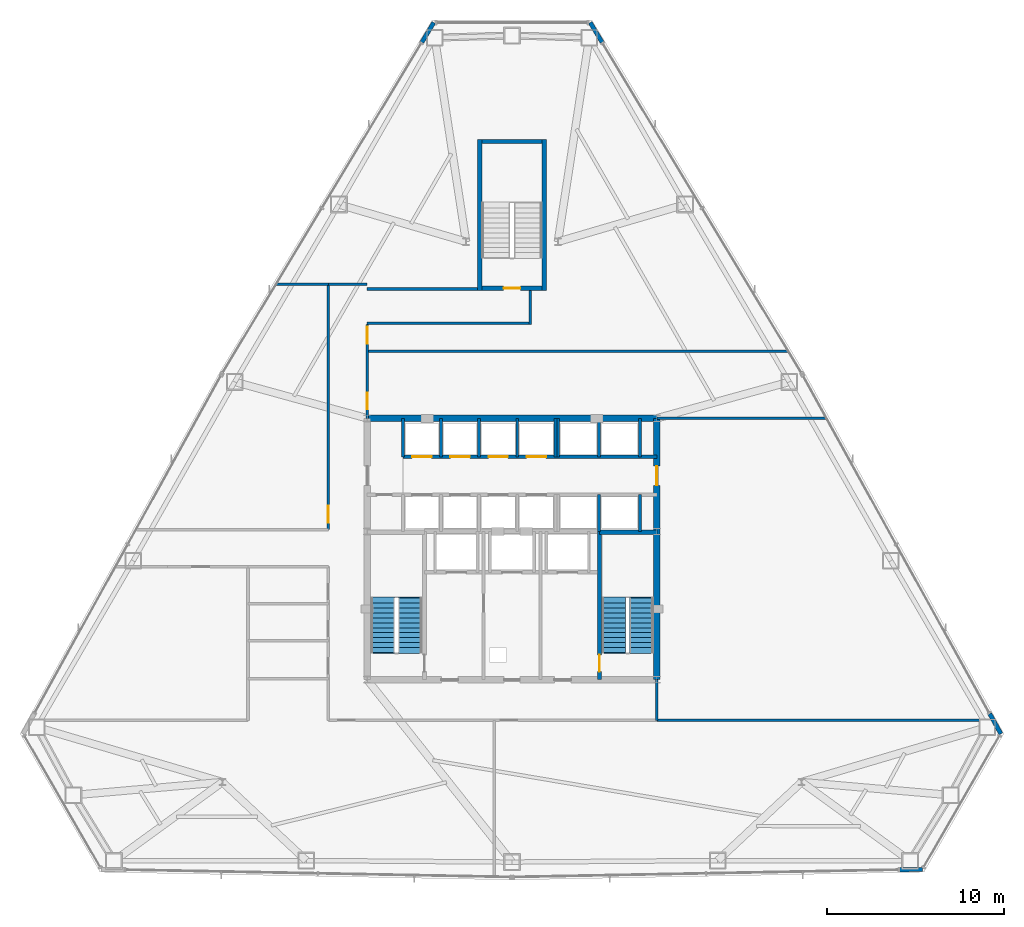
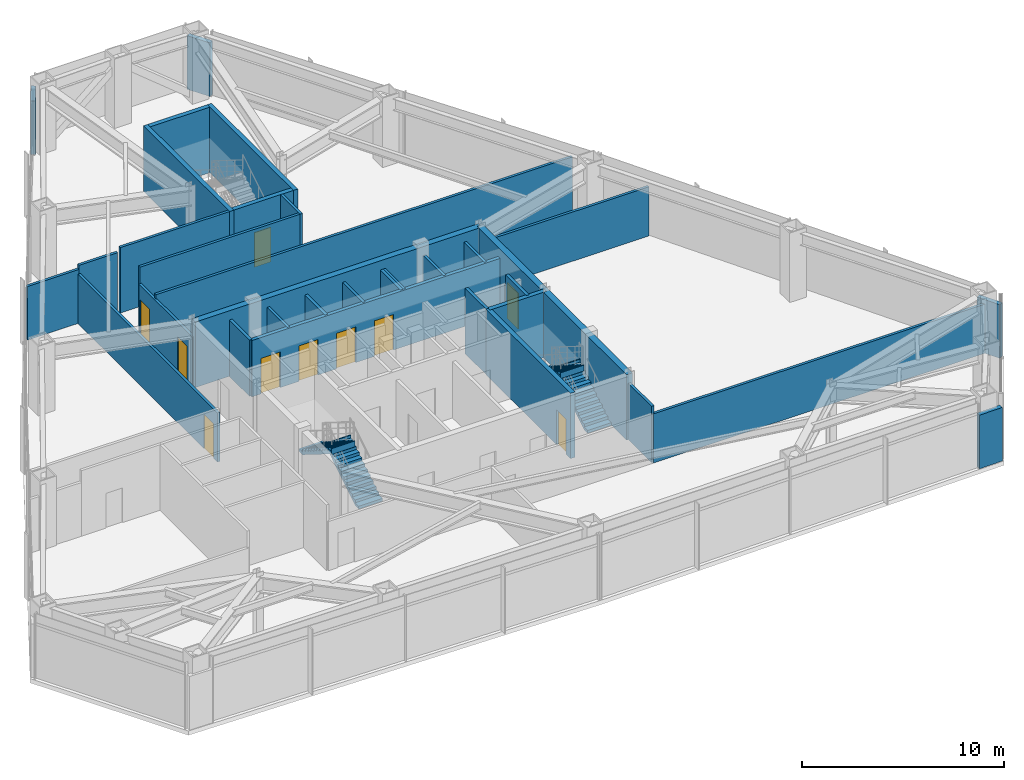
# One storey, part 11 of 13: 34 walls, 10 doors, 4 stair flights, 10 openings, 2 elements without a shape of their own.
"""IFC4 building model written with IfcOpenShell, lengths in metres."""

from ifc_helpers import new_model, si_unit, direction, frame, frame_2d, origin, place, context, subcontext, project, spatial, polyline, rectangle, outline, extrude, material, layer, layer_set, type_object, element, fill, aggregate, save


model = new_model("IFC4")

# Units and contexts
model_context = context("Model", 3, precision=1e-05, world=origin(), true_north=direction((0.0, 1.0)))
body_context = subcontext(model_context, "Body", "Model", "MODEL_VIEW")
ifc_project = project(units=[si_unit("LENGTHUNIT", "METRE"), si_unit("AREAUNIT", "SQUARE_METRE"), si_unit("VOLUMEUNIT", "CUBIC_METRE"), si_unit("PLANEANGLEUNIT", "RADIAN"), si_unit("MASSUNIT", "GRAM", prefix="KILO")], contexts=[model_context])

# Site, building, storey
site_placement = place(None, origin())
site = spatial("IfcSite", under=ifc_project, at=site_placement, CompositionType="ELEMENT")
building_placement = place(site_placement, origin())
building = spatial("IfcBuilding", under=site, at=building_placement, Name="Varakhsha Concourse Tower", CompositionType="ELEMENT")
storey_placement = place(building_placement, frame((0.0, 0.0, 111.800048828125)))
storey = spatial("IfcBuildingStorey", under=building, at=storey_placement, Name="L32", CompositionType="ELEMENT", Elevation=111.800048828125)

# Wall
ifc_material_1 = material(Name="Concrete fc 65 MPa", Category="concrete")
ifc_layer_1 = layer(ifc_material_1, 0.35009765625, Name="WL-CORE-350")
ifc_layer_set_1 = layer_set([ifc_layer_1], Name="Concrete fc 65 MPa")
wall_type_1 = type_object("IfcWallType", Name="WL-CORE-350", PredefinedType="SHEAR", material=ifc_layer_set_1)
wall_1_placement = place(storey_placement, frame((31.800048828125, 31.199951171875, 0.0), z_axis=(0.0, 0.0, 1.0), x_axis=(1.0, 0.0, 0.0)))
element("IfcWall", 1, at=wall_1_placement, inside=storey, type_object=wall_type_1, Name="L32 Wall CWALL-N-L32", PredefinedType="SHEAR", context=body_context, shape_type="SweptSolid", body=[
    extrude(rectangle(XDim=16.39990234375, YDim=0.35009765625, at=frame_2d((8.199951171875, 0.0))), origin(), (0.0, 0.0, 1.0), 3.9599609375),
])

# Wall, opening, door
wall_2_placement = place(storey_placement, frame((48.199951171875, 16.39990234375, 0.0), z_axis=(0.0, 0.0, 1.0), x_axis=(0.0, 1.0, 0.0)))
wall_2 = element("IfcWall", 2, at=wall_2_placement, inside=storey, type_object=wall_type_1, Name="L32 Wall CWALL-E-L32", PredefinedType="SHEAR", context=body_context, shape_type="SweptSolid", body=[
    extrude(rectangle(XDim=14.800048828125, YDim=0.35009765625, at=frame_2d((7.39990234375, 0.0))), origin(), (0.0, 0.0, 1.0), 3.9599609375),
])
opening_1_placement = place(wall_2_placement, frame((11.0, 0.0, 0.0)))
opening_1 = element("IfcOpeningElement", 3, at=opening_1_placement, cuts=wall_2, Name="Opening DL-01", PredefinedType="OPENING", context=body_context, shape_type="SweptSolid", body=[
    extrude(rectangle(XDim=1.10009765625, YDim=2.14990234375, at=frame_2d((0.550048828125, 1.074951171875))), frame((0.0, 0.18505859375, 0.0), z_axis=(0.0, -1.0, 0.0), x_axis=(1.0, 0.0, 0.0)), (0.0, 0.0, 1.0), 0.3701171875),
])
ifc_material_2 = material(Name="Anodised Bronze Architectural Aluminium AA 6063-T6", Category="aluminium")
door_type_1 = type_object("IfcDoorType", Name="DR-LOB-1100", OperationType="NOTDEFINED", PredefinedType="DOOR", material=ifc_material_2)
door_1_placement = place(opening_1_placement, origin())
door_1 = element("IfcDoor", 4, at=door_1_placement, inside=storey, type_object=door_type_1, Name="L32 Lift Lobby East Concourse Door", OperationType="SINGLE_SWING_RIGHT", OverallHeight=2.14990234375, OverallWidth=1.10009765625, PredefinedType="DOOR", context=body_context, shape_type="SweptSolid", body=[
    extrude(rectangle(XDim=1.10009765625, YDim=2.14990234375, at=frame_2d((0.550048828125, 1.074951171875))), frame((0.0, 0.02490234375, 0.0), z_axis=(0.0, -1.0, 0.0), x_axis=(1.0, 0.0, 0.0)), (0.0, 0.0, 1.0), 0.050048828125),
])
fill(opening_1, door_1)

# Walls
ifc_material_3 = material(Name="Concrete fc 45 MPa", Category="concrete")
ifc_layer_2 = layer(ifc_material_3, 0.239990234375, Name="WL-EXT-CRN-240")
ifc_layer_set_2 = layer_set([ifc_layer_2], Name="Concrete fc 45 MPa")
wall_type_2 = type_object("IfcWallType", Name="WL-EXT-CRN-240", PredefinedType="SHEAR", material=ifc_layer_set_2)
wall_3_placement = place(storey_placement, frame((35.569580078125, 53.609619140625, 0.0), z_axis=(0.0, 0.0, 1.0), x_axis=(-0.516114973282, -0.856519313474, 0.0)))
element("IfcWall", 5, at=wall_3_placement, inside=storey, type_object=wall_type_2, Name="L32 Wind-Corner Shoulder Wall F2", PredefinedType="SHEAR", context=body_context, shape_type="SweptSolid", body=[
    extrude(rectangle(XDim=1.307373046875, YDim=0.239990234375, at=frame_2d((0.65380859375, 0.0))), origin(), (0.0, 0.0, 1.0), 3.242919921875),
])
for number, where, z_axis, x_axis, name in (
    (6, (61.947021484375, 5.6337890625, 0.0), (0.0, 0.0, 1.0), (0.999822181087, 0.018857523864, 0.0), "L32 Wind-Corner Shoulder Wall F6"),
    (7, (67.6845703125, 13.33203125, 0.0), (0.0, 0.0, 1.0), (-0.483580718164, 0.875299770947, 0.0), "L32 Wind-Corner Shoulder Wall F8"),
):
    element("IfcWall", number, at=place(storey_placement, frame(where, z_axis=z_axis, x_axis=x_axis)), inside=storey, type_object=wall_type_2, Name=name, PredefinedType="SHEAR", context=body_context, shape_type="SweptSolid", body=[
        extrude(rectangle(XDim=1.3076171875, YDim=0.239990234375, at=frame_2d((0.65380859375, 0.0))), origin(), (0.0, 0.0, 1.0), 3.242919921875),
    ])
wall_4_placement = place(storey_placement, frame((45.105224609375, 52.48974609375, 0.0), z_axis=(0.0, 0.0, 1.0), x_axis=(-0.516114973282, 0.856519313474, 0.0)))
element("IfcWall", 8, at=wall_4_placement, inside=storey, type_object=wall_type_2, Name="L32 Wind-Corner Shoulder Wall F9", PredefinedType="SHEAR", context=body_context, shape_type="SweptSolid", body=[
    extrude(rectangle(XDim=1.307373046875, YDim=0.239990234375, at=frame_2d((0.65380859375, 0.0))), origin(), (0.0, 0.0, 1.0), 3.242919921875),
])
ifc_material_4 = material(Name="Fire-Rated Type X Gypsum Partition Assembly", Category="gypsum")
ifc_layer_3 = layer(ifc_material_4, 0.14990234375, Name="WL-PART-150")
ifc_layer_set_3 = layer_set([ifc_layer_3], Name="Fire-Rated Type X Gypsum Partition Assembly")
wall_type_3 = type_object("IfcWallType", Name="WL-PART-150", PredefinedType="PARTITIONING", material=ifc_layer_set_3)
wall_5_placement = place(storey_placement, frame((48.199951171875, 14.10009765625, 0.0), z_axis=(0.0, 0.0, 1.0), x_axis=(0.0, 1.0, 0.0)))
element("IfcWall", 9, at=wall_5_placement, inside=storey, type_object=wall_type_3, Name="L32 Wall CRW-SE-L32", PredefinedType="PARTITIONING", context=body_context, shape_type="SweptSolid", body=[
    extrude(rectangle(XDim=2.2998046875, YDim=0.14990234375, at=frame_2d((1.14990234375, 0.0))), origin(), (0.0, 0.0, 1.0), 3.410888671875),
])

# Wall, opening, door
wall_6_placement = place(storey_placement, frame((29.60009765625, 24.89990234375, 0.0), z_axis=(0.0, 0.0, 1.0), x_axis=(0.0, 1.0, 0.0)))
wall_6 = element("IfcWall", 10, at=wall_6_placement, inside=storey, type_object=wall_type_3, Name="L32 Wall CRW-WN-L32", PredefinedType="PARTITIONING", context=body_context, shape_type="SweptSolid", body=[
    extrude(rectangle(XDim=13.900146484375, YDim=0.14990234375, at=frame_2d((6.9501953125, 0.0))), origin(), (0.0, 0.0, 1.0), 2.974853515625),
])
opening_2_placement = place(wall_6_placement, frame((0.39990234375, 0.0, 0.0)))
opening_2 = element("IfcOpeningElement", 11, at=opening_2_placement, cuts=wall_6, Name="Opening DF-05", PredefinedType="OPENING", context=body_context, shape_type="SweptSolid", body=[
    extrude(rectangle(XDim=0.949951171875, YDim=2.10009765625, at=frame_2d((0.47509765625, 1.050048828125))), frame((0.0, 0.0849609375, 0.0), z_axis=(0.0, -1.0, 0.0), x_axis=(1.0, 0.0, 0.0)), (0.0, 0.0, 1.0), 0.169921875),
])
ifc_material_5 = material(Name="Hollow Galvanised Steel Fire Door Assembly", Category="steel")
door_type_2 = type_object("IfcDoorType", Name="DR-FD60-950", OperationType="NOTDEFINED", PredefinedType="DOOR", material=ifc_material_5)
door_2_placement = place(opening_2_placement, origin())
door_2 = element("IfcDoor", 12, at=door_2_placement, inside=storey, type_object=door_type_2, Name="L32 Open Concourse Studio L32-NW Door", OperationType="SINGLE_SWING_LEFT", OverallHeight=2.10009765625, OverallWidth=0.949951171875, PredefinedType="DOOR", context=body_context, shape_type="SweptSolid", body=[
    extrude(rectangle(XDim=0.949951171875, YDim=2.10009765625, at=frame_2d((0.47509765625, 1.050048828125))), frame((0.0, 0.02490234375, 0.0), z_axis=(0.0, -1.0, 0.0), x_axis=(1.0, 0.0, 0.0)), (0.0, 0.0, 1.0), 0.050048828125),
])
fill(opening_2, door_2)

# Wall, openings, doors
wall_7_placement = place(storey_placement, frame((31.800048828125, 31.199951171875, 0.0), z_axis=(0.0, 0.0, 1.0), x_axis=(0.0, 1.0, 0.0)))
wall_7 = element("IfcWall", 13, at=wall_7_placement, inside=storey, type_object=wall_type_3, Name="L32 Wall CRW-NE-L32", PredefinedType="PARTITIONING", context=body_context, shape_type="SweptSolid", body=[
    extrude(rectangle(XDim=5.300048828125, YDim=0.14990234375, at=frame_2d((2.64990234375, 0.0))), origin(), (0.0, 0.0, 1.0), 2.974853515625),
])
opening_3_placement = place(wall_7_placement, frame((0.5, 0.0, 0.0)))
opening_3 = element("IfcOpeningElement", 14, at=opening_3_placement, cuts=wall_7, Name="Opening DF-05", PredefinedType="OPENING", context=body_context, shape_type="SweptSolid", body=[
    extrude(rectangle(XDim=0.949951171875, YDim=2.10009765625, at=frame_2d((0.47509765625, 1.050048828125))), frame((0.0, 0.0849609375, 0.0), z_axis=(0.0, -1.0, 0.0), x_axis=(1.0, 0.0, 0.0)), (0.0, 0.0, 1.0), 0.169921875),
])
opening_4_placement = place(wall_7_placement, frame((4.22998046875, 0.0, 0.0)))
opening_4 = element("IfcOpeningElement", 15, at=opening_4_placement, cuts=wall_7, Name="Opening DF-05", PredefinedType="OPENING", context=body_context, shape_type="SweptSolid", body=[
    extrude(rectangle(XDim=0.949951171875, YDim=2.10009765625, at=frame_2d((0.47509765625, 1.050048828125))), frame((0.0, 0.0849609375, 0.0), z_axis=(0.0, -1.0, 0.0), x_axis=(1.0, 0.0, 0.0)), (0.0, 0.0, 1.0), 0.169921875),
])
door_3_placement = place(opening_3_placement, origin())
door_3 = element("IfcDoor", 16, at=door_3_placement, inside=storey, type_object=door_type_2, Name="L32 Mountain View Concourse Briefing Room L32-NE1 Door", OperationType="SINGLE_SWING_RIGHT", OverallHeight=2.10009765625, OverallWidth=0.949951171875, PredefinedType="DOOR", context=body_context, shape_type="SweptSolid", body=[
    extrude(rectangle(XDim=0.949951171875, YDim=2.10009765625, at=frame_2d((0.47509765625, 1.050048828125))), frame((0.0, 0.02490234375, 0.0), z_axis=(0.0, -1.0, 0.0), x_axis=(1.0, 0.0, 0.0)), (0.0, 0.0, 1.0), 0.050048828125),
])
fill(opening_3, door_3)
door_4_placement = place(opening_4_placement, origin())
door_4 = element("IfcDoor", 17, at=door_4_placement, inside=storey, type_object=door_type_2, Name="L32 Apex Sky Lobby Transfer Lounge L32-NE2 Door", OperationType="SINGLE_SWING_RIGHT", OverallHeight=2.10009765625, OverallWidth=0.949951171875, PredefinedType="DOOR", context=body_context, shape_type="SweptSolid", body=[
    extrude(rectangle(XDim=0.949951171875, YDim=2.10009765625, at=frame_2d((0.47509765625, 1.050048828125))), frame((0.0, 0.02490234375, 0.0), z_axis=(0.0, -1.0, 0.0), x_axis=(1.0, 0.0, 0.0)), (0.0, 0.0, 1.0), 0.050048828125),
])
fill(opening_4, door_4)

# Walls
wall_8_placement = place(storey_placement, frame((29.60009765625, 38.800048828125, 0.0), z_axis=(0.0, 0.0, 1.0), x_axis=(1.0, 0.0, 0.0)))
element("IfcWall", 18, at=wall_8_placement, inside=storey, type_object=wall_type_3, Name="L32 Wall CRW-NCAP-L32", PredefinedType="PARTITIONING", context=body_context, shape_type="SweptSolid", body=[
    extrude(rectangle(XDim=2.199951171875, YDim=0.14990234375, at=frame_2d((1.10009765625, 0.0))), origin(), (0.0, 0.0, 1.0), 3.492919921875),
])
wall_9_placement = place(storey_placement, frame((26.647705078125, 38.800048828125, 0.0), z_axis=(0.0, 0.0, 1.0), x_axis=(1.0, 0.0, 0.0)))
element("IfcWall", 19, at=wall_9_placement, inside=storey, type_object=wall_type_3, Name="L32 Wall ODIV-NWT-L32", PredefinedType="PARTITIONING", context=body_context, shape_type="SweptSolid", body=[
    extrude(rectangle(XDim=2.952392578125, YDim=0.14990234375, at=frame_2d((1.47607421875, 0.0))), origin(), (0.0, 0.0, 1.0), 3.248046875),
])
wall_10_placement = place(storey_placement, frame((48.199951171875, 31.199951171875, 0.0), z_axis=(0.0, 0.0, 1.0), x_axis=(1.0, 0.0, 0.0)))
element("IfcWall", 20, at=wall_10_placement, inside=storey, type_object=wall_type_3, Name="L32 Wall ODIV-NEB-L32", PredefinedType="PARTITIONING", context=body_context, shape_type="SweptSolid", body=[
    extrude(rectangle(XDim=9.608642578125, YDim=0.14990234375, at=frame_2d((4.80419921875, 0.0))), origin(), (0.0, 0.0, 1.0), 2.974853515625),
])
wall_11_placement = place(storey_placement, frame((31.800048828125, 35.0, 0.0), z_axis=(0.0, 0.0, 1.0), x_axis=(1.0, 0.0, 0.0)))
element("IfcWall", 21, at=wall_11_placement, inside=storey, type_object=wall_type_3, Name="L32 Wall ODIV-NE1-L32", PredefinedType="PARTITIONING", context=body_context, shape_type="SweptSolid", body=[
    extrude(rectangle(XDim=23.84326171875, YDim=0.14990234375, at=frame_2d((11.921630859375, 0.0))), origin(), (0.0, 0.0, 1.0), 3.248046875),
])
wall_12_placement = place(storey_placement, frame((48.199951171875, 14.10009765625, 0.0), z_axis=(0.0, 0.0, 1.0), x_axis=(1.0, 0.0, 0.0)))
element("IfcWall", 22, at=wall_12_placement, inside=storey, type_object=wall_type_3, Name="L32 Wall ODIV-EB0-L32", PredefinedType="PARTITIONING", context=body_context, shape_type="SweptSolid", body=[
    extrude(rectangle(XDim=19.054443359375, YDim=0.14990234375, at=frame_2d((9.52734375, 0.0))), origin(), (0.0, 0.0, 1.0), 2.974853515625),
])
wall_13_placement = place(storey_placement, frame((31.800048828125, 36.574951171875, 0.0), z_axis=(0.0, 0.0, 1.0), x_axis=(1.0, 0.0, 0.0)))
element("IfcWall", 23, at=wall_13_placement, inside=storey, type_object=wall_type_3, Name="L32 Wall STLK-S-L32", PredefinedType="PARTITIONING", context=body_context, shape_type="SweptSolid", body=[
    extrude(rectangle(XDim=9.14990234375, YDim=0.14990234375, at=frame_2d((4.574951171875, 0.0))), origin(), (0.0, 0.0, 1.0), 3.9599609375),
])
wall_14_placement = place(storey_placement, frame((31.800048828125, 38.52490234375, 0.0), z_axis=(0.0, 0.0, 1.0), x_axis=(1.0, 0.0, 0.0)))
element("IfcWall", 24, at=wall_14_placement, inside=storey, type_object=wall_type_3, Name="L32 Wall STLK-N-L32", PredefinedType="PARTITIONING", context=body_context, shape_type="SweptSolid", body=[
    extrude(rectangle(XDim=6.25, YDim=0.14990234375, at=frame_2d((3.125, 0.0))), origin(), (0.0, 0.0, 1.0), 3.9599609375),
])
wall_15_placement = place(storey_placement, frame((41.02490234375, 36.5, 0.0), z_axis=(0.0, 0.0, 1.0), x_axis=(0.0, 1.0, 0.0)))
element("IfcWall", 25, at=wall_15_placement, inside=storey, type_object=wall_type_3, Name="L32 Wall STLK-E-L32", PredefinedType="PARTITIONING", context=body_context, shape_type="SweptSolid", body=[
    extrude(rectangle(XDim=1.949951171875, YDim=0.14990234375, at=frame_2d((0.97509765625, 0.0))), origin(), (0.0, 0.0, 1.0), 3.9599609375),
])

# Wall, openings, doors
ifc_layer_4 = layer(ifc_material_4, 0.199951171875, Name="WL-SHAFT-220")
ifc_layer_set_4 = layer_set([ifc_layer_4], Name="Fire-Rated Type X Gypsum Partition Assembly")
wall_type_4 = type_object("IfcWallType", Name="WL-SHAFT-220", PredefinedType="SOLIDWALL", material=ifc_layer_set_4)
wall_16_placement = place(storey_placement, frame((33.820068359375, 29.02001953125, 0.0), z_axis=(0.0, 0.0, 1.0), x_axis=(1.0, 0.0, 0.0)))
wall_16 = element("IfcWall", 26, at=wall_16_placement, inside=storey, type_object=wall_type_4, Name="L32 Wall PLW-N-L32", PredefinedType="SOLIDWALL", context=body_context, shape_type="SweptSolid", body=[
    extrude(rectangle(XDim=14.3798828125, YDim=0.199951171875, at=frame_2d((7.18994140625, 0.0))), origin(), (0.0, 0.0, 1.0), 3.410888671875),
])
opening_5_placement = place(wall_16_placement, frame((0.530029296875, 0.0, 0.0)))
opening_5 = element("IfcOpeningElement", 27, at=opening_5_placement, cuts=wall_16, Name="Opening LD-LF-P01", PredefinedType="OPENING", context=body_context, shape_type="SweptSolid", body=[
    extrude(rectangle(XDim=1.10009765625, YDim=2.14990234375, at=frame_2d((0.550048828125, 1.074951171875))), frame((0.0, 0.10986328125, 0.0), z_axis=(0.0, -1.0, 0.0), x_axis=(1.0, 0.0, 0.0)), (0.0, 0.0, 1.0), 0.219970703125),
])
opening_6_placement = place(wall_16_placement, frame((2.68994140625, 0.0, 0.0)))
opening_6 = element("IfcOpeningElement", 28, at=opening_6_placement, cuts=wall_16, Name="Opening LD-LF-P02", PredefinedType="OPENING", context=body_context, shape_type="SweptSolid", body=[
    extrude(rectangle(XDim=1.10009765625, YDim=2.14990234375, at=frame_2d((0.550048828125, 1.074951171875))), frame((0.0, 0.10986328125, 0.0), z_axis=(0.0, -1.0, 0.0), x_axis=(1.0, 0.0, 0.0)), (0.0, 0.0, 1.0), 0.219970703125),
])
opening_7_placement = place(wall_16_placement, frame((4.85009765625, 0.0, 0.0)))
opening_7 = element("IfcOpeningElement", 29, at=opening_7_placement, cuts=wall_16, Name="Opening LD-LF-P03", PredefinedType="OPENING", context=body_context, shape_type="SweptSolid", body=[
    extrude(rectangle(XDim=1.10009765625, YDim=2.14990234375, at=frame_2d((0.550048828125, 1.074951171875))), frame((0.0, 0.10986328125, 0.0), z_axis=(0.0, -1.0, 0.0), x_axis=(1.0, 0.0, 0.0)), (0.0, 0.0, 1.0), 0.219970703125),
])
opening_8_placement = place(wall_16_placement, frame((7.010009765625, 0.0, 0.0)))
opening_8 = element("IfcOpeningElement", 30, at=opening_8_placement, cuts=wall_16, Name="Opening LD-LF-P04", PredefinedType="OPENING", context=body_context, shape_type="SweptSolid", body=[
    extrude(rectangle(XDim=1.10009765625, YDim=2.14990234375, at=frame_2d((0.550048828125, 1.074951171875))), frame((0.0, 0.10986328125, 0.0), z_axis=(0.0, -1.0, 0.0), x_axis=(1.0, 0.0, 0.0)), (0.0, 0.0, 1.0), 0.219970703125),
])
ifc_material_6 = material(Name="Brushed Austenitic Stainless Steel AISI 316", Category="steel")
door_type_3 = type_object("IfcDoorType", Name="DR-LD-1100", OperationType="DOUBLE_DOOR_SLIDING", PredefinedType="DOOR", material=ifc_material_6)
door_5_placement = place(opening_5_placement, origin())
door_5 = element("IfcDoor", 31, at=door_5_placement, inside=storey, type_object=door_type_3, Name="Lift Landing Door LF-P01 L32", OperationType="DOUBLE_DOOR_SLIDING", OverallHeight=2.14990234375, OverallWidth=1.10009765625, PredefinedType="DOOR", context=body_context, shape_type="SweptSolid", body=[
    extrude(rectangle(XDim=1.10009765625, YDim=2.14990234375, at=frame_2d((0.550048828125, 1.074951171875))), frame((0.0, 0.02490234375, 0.0), z_axis=(0.0, -1.0, 0.0), x_axis=(1.0, 0.0, 0.0)), (0.0, 0.0, 1.0), 0.050048828125),
])
fill(opening_5, door_5)
door_6_placement = place(opening_6_placement, origin())
door_6 = element("IfcDoor", 32, at=door_6_placement, inside=storey, type_object=door_type_3, Name="Lift Landing Door LF-P02 L32", OperationType="DOUBLE_DOOR_SLIDING", OverallHeight=2.14990234375, OverallWidth=1.10009765625, PredefinedType="DOOR", context=body_context, shape_type="SweptSolid", body=[
    extrude(rectangle(XDim=1.10009765625, YDim=2.14990234375, at=frame_2d((0.550048828125, 1.074951171875))), frame((0.0, 0.02490234375, 0.0), z_axis=(0.0, -1.0, 0.0), x_axis=(1.0, 0.0, 0.0)), (0.0, 0.0, 1.0), 0.050048828125),
])
fill(opening_6, door_6)
door_7_placement = place(opening_7_placement, origin())
door_7 = element("IfcDoor", 33, at=door_7_placement, inside=storey, type_object=door_type_3, Name="Lift Landing Door LF-P03 L32", OperationType="DOUBLE_DOOR_SLIDING", OverallHeight=2.14990234375, OverallWidth=1.10009765625, PredefinedType="DOOR", context=body_context, shape_type="SweptSolid", body=[
    extrude(rectangle(XDim=1.10009765625, YDim=2.14990234375, at=frame_2d((0.550048828125, 1.074951171875))), frame((0.0, 0.02490234375, 0.0), z_axis=(0.0, -1.0, 0.0), x_axis=(1.0, 0.0, 0.0)), (0.0, 0.0, 1.0), 0.050048828125),
])
fill(opening_7, door_7)
door_8_placement = place(opening_8_placement, origin())
door_8 = element("IfcDoor", 34, at=door_8_placement, inside=storey, type_object=door_type_3, Name="Lift Landing Door LF-P04 L32", OperationType="DOUBLE_DOOR_SLIDING", OverallHeight=2.14990234375, OverallWidth=1.10009765625, PredefinedType="DOOR", context=body_context, shape_type="SweptSolid", body=[
    extrude(rectangle(XDim=1.10009765625, YDim=2.14990234375, at=frame_2d((0.550048828125, 1.074951171875))), frame((0.0, 0.02490234375, 0.0), z_axis=(0.0, -1.0, 0.0), x_axis=(1.0, 0.0, 0.0)), (0.0, 0.0, 1.0), 0.050048828125),
])
fill(opening_8, door_8)

# Walls
for number, where, z_axis, x_axis, name in (
    (35, (33.820068359375, 29.02001953125, 0.0), (0.0, 0.0, 1.0), (0.0, 1.0, 0.0), "L32 Wall WBOH-E1-L32"),
    (36, (35.97998046875, 29.02001953125, 0.0), (0.0, 0.0, 1.0), (0.0, 1.0, 0.0), "L32 Wall SHW-LF-P01-E-L32"),
    (37, (38.139892578125, 29.02001953125, 0.0), (0.0, 0.0, 1.0), (0.0, 1.0, 0.0), "L32 Wall SHW-LF-P02-E-L32"),
    (38, (40.300048828125, 29.02001953125, 0.0), (0.0, 0.0, 1.0), (0.0, 1.0, 0.0), "L32 Wall SHW-LF-P03-E-L32"),
    (39, (42.4599609375, 29.02001953125, 0.0), (0.0, 0.0, 1.0), (0.0, 1.0, 0.0), "L32 Wall SHW-LF-P04-E-L32"),
    (40, (42.60009765625, 29.02001953125, 0.0), (0.0, 0.0, 1.0), (0.0, 1.0, 0.0), "L32 Wall SHW-LF-P09-W-L32"),
    (41, (44.919921875, 29.02001953125, 0.0), (0.0, 0.0, 1.0), (0.0, 1.0, 0.0), "L32 Wall SHW-LF-P09-E-L32"),
    (42, (47.239990234375, 29.02001953125, 0.0), (0.0, 0.0, 1.0), (0.0, 1.0, 0.0), "L32 Wall SHW-LF-P10-E-L32"),
):
    element("IfcWall", number, at=place(storey_placement, frame(where, z_axis=z_axis, x_axis=x_axis)), inside=storey, type_object=wall_type_4, Name=name, PredefinedType="SOLIDWALL", context=body_context, shape_type="SweptSolid", body=[
        extrude(rectangle(XDim=2.179931640625, YDim=0.159912109375, at=frame_2d((1.08984375, 0.0))), origin(), (0.0, 0.0, 1.0), 3.410888671875),
    ])
for number, where, z_axis, x_axis, name in (
    (43, (44.919921875, 24.800048828125, 0.0), (0.0, 0.0, 1.0), (0.0, 1.0, 0.0), "L32 Wall SHW-LF-P11-E-L32"),
    (44, (47.239990234375, 24.800048828125, 0.0), (0.0, 0.0, 1.0), (0.0, 1.0, 0.0), "L32 Wall SHW-LF-P12-E-L32"),
):
    element("IfcWall", number, at=place(storey_placement, frame(where, z_axis=z_axis, x_axis=x_axis)), inside=storey, type_object=wall_type_4, Name=name, PredefinedType="SOLIDWALL", context=body_context, shape_type="SweptSolid", body=[
        extrude(rectangle(XDim=2.079833984375, YDim=0.159912109375, at=frame_2d((1.0400390625, 0.0))), origin(), (0.0, 0.0, 1.0), 3.9599609375),
    ])

# Wall, opening, door
ifc_layer_5 = layer(ifc_material_3, 0.25, Name="WL-STAIR-250")
ifc_layer_set_5 = layer_set([ifc_layer_5], Name="Concrete fc 45 MPa")
wall_type_5 = type_object("IfcWallType", Name="WL-STAIR-250", PredefinedType="SHEAR", material=ifc_layer_set_5)
wall_17_placement = place(storey_placement, frame((44.955078125, 16.39990234375, 0.0), z_axis=(0.0, 0.0, 1.0), x_axis=(0.0, 1.0, 0.0)))
wall_17 = element("IfcWall", 45, at=wall_17_placement, inside=storey, type_object=wall_type_5, Name="L32 Wall SWALL-ST2-W-L32", PredefinedType="SHEAR", context=body_context, shape_type="SweptSolid", body=[
    extrude(rectangle(XDim=8.400146484375, YDim=0.25, at=frame_2d((4.2001953125, 0.0))), origin(), (0.0, 0.0, 1.0), 3.9599609375),
])
opening_9_placement = place(wall_17_placement, frame((0.449951171875, 0.0, 0.0)))
opening_9 = element("IfcOpeningElement", 46, at=opening_9_placement, cuts=wall_17, Name="Opening DF-03", PredefinedType="OPENING", context=body_context, shape_type="SweptSolid", body=[
    extrude(rectangle(XDim=0.949951171875, YDim=2.10009765625, at=frame_2d((0.47509765625, 1.050048828125))), frame((0.0, 0.135009765625, 0.0), z_axis=(0.0, -1.0, 0.0), x_axis=(1.0, 0.0, 0.0)), (0.0, 0.0, 1.0), 0.27001953125),
])
door_type_4 = type_object("IfcDoorType", Name="DR-FD90-950", OperationType="NOTDEFINED", PredefinedType="DOOR", material=ifc_material_5)
door_9_placement = place(opening_9_placement, origin())
door_9 = element("IfcDoor", 47, at=door_9_placement, inside=storey, type_object=door_type_4, Name="L32 Stair ST2 Fire Door", OperationType="SINGLE_SWING_RIGHT", OverallHeight=2.10009765625, OverallWidth=0.949951171875, PredefinedType="DOOR", context=body_context, shape_type="SweptSolid", body=[
    extrude(rectangle(XDim=0.949951171875, YDim=2.10009765625, at=frame_2d((0.47509765625, 1.050048828125))), frame((0.0, 0.02490234375, 0.0), z_axis=(0.0, -1.0, 0.0), x_axis=(1.0, 0.0, 0.0)), (0.0, 0.0, 1.0), 0.050048828125),
])
fill(opening_9, door_9)

# Walls
wall_18_placement = place(storey_placement, frame((44.955078125, 24.7548828125, 0.0), z_axis=(0.0, 0.0, 1.0), x_axis=(1.0, 0.0, 0.0)))
element("IfcWall", 48, at=wall_18_placement, inside=storey, type_object=wall_type_5, Name="L32 Wall SWALL-ST2-N-L32", PredefinedType="SHEAR", context=body_context, shape_type="SweptSolid", body=[
    extrude(rectangle(XDim=3.244873046875, YDim=0.25, at=frame_2d((1.62255859375, 0.0))), origin(), (0.0, 0.0, 1.0), 3.9599609375),
])
for number, where, z_axis, x_axis, name in (
    (49, (38.175048828125, 38.449951171875, 0.0), (0.0, 0.0, 1.0), (0.0, 1.0, 0.0), "L32 Wall SWALL-ST5-W-L32"),
    (50, (41.824951171875, 38.449951171875, 0.0), (0.0, 0.0, 1.0), (0.0, 1.0, 0.0), "L32 Wall SWALL-ST5-E-L32"),
):
    element("IfcWall", number, at=place(storey_placement, frame(where, z_axis=z_axis, x_axis=x_axis)), inside=storey, type_object=wall_type_5, Name=name, PredefinedType="SHEAR", context=body_context, shape_type="SweptSolid", body=[
        extrude(rectangle(XDim=8.550048828125, YDim=0.25, at=frame_2d((4.27490234375, 0.0))), origin(), (0.0, 0.0, 1.0), 3.9599609375),
    ])

# Wall, opening, door
wall_19_placement = place(storey_placement, frame((38.300048828125, 38.574951171875, 0.0), z_axis=(0.0, 0.0, 1.0), x_axis=(1.0, 0.0, 0.0)))
wall_19 = element("IfcWall", 51, at=wall_19_placement, inside=storey, type_object=wall_type_5, Name="L32 Wall SWALL-ST5-S-L32", PredefinedType="SHEAR", context=body_context, shape_type="SweptSolid", body=[
    extrude(rectangle(XDim=3.39990234375, YDim=0.25, at=frame_2d((1.699951171875, 0.0))), origin(), (0.0, 0.0, 1.0), 3.9599609375),
])
opening_10_placement = place(wall_19_placement, frame((1.22509765625, 0.0, 0.0)))
opening_10 = element("IfcOpeningElement", 52, at=opening_10_placement, cuts=wall_19, Name="Opening DF-03", PredefinedType="OPENING", context=body_context, shape_type="SweptSolid", body=[
    extrude(rectangle(XDim=0.949951171875, YDim=2.10009765625, at=frame_2d((0.47509765625, 1.050048828125))), frame((0.0, 0.135009765625, 0.0), z_axis=(0.0, -1.0, 0.0), x_axis=(1.0, 0.0, 0.0)), (0.0, 0.0, 1.0), 0.27001953125),
])
door_10_placement = place(opening_10_placement, origin())
door_10 = element("IfcDoor", 53, at=door_10_placement, inside=storey, type_object=door_type_4, Name="L32 Stair ST5 Fire Door", OperationType="SINGLE_SWING_RIGHT", OverallHeight=2.10009765625, OverallWidth=0.949951171875, PredefinedType="DOOR", context=body_context, shape_type="SweptSolid", body=[
    extrude(rectangle(XDim=0.949951171875, YDim=2.10009765625, at=frame_2d((0.47509765625, 1.050048828125))), frame((0.0, 0.02490234375, 0.0), z_axis=(0.0, -1.0, 0.0), x_axis=(1.0, 0.0, 0.0)), (0.0, 0.0, 1.0), 0.050048828125),
])
fill(opening_10, door_10)

# Wall
wall_20_placement = place(storey_placement, frame((38.300048828125, 46.875, 0.0), z_axis=(0.0, 0.0, 1.0), x_axis=(1.0, 0.0, 0.0)))
element("IfcWall", 54, at=wall_20_placement, inside=storey, type_object=wall_type_5, Name="L32 Wall SWALL-ST5-N-L32", PredefinedType="SHEAR", context=body_context, shape_type="SweptSolid", body=[
    extrude(rectangle(XDim=3.39990234375, YDim=0.25, at=frame_2d((1.699951171875, 0.0))), origin(), (0.0, 0.0, 1.0), 3.9599609375),
])

# Stair, stair flights
stair_type = type_object("IfcStairType", Name="ST-DOGLEG-1360", PredefinedType="HALF_TURN_STAIR", material=ifc_material_3)
stair_1_placement = place(storey_placement, origin())
stair_1 = element("IfcStair", 55, at=stair_1_placement, inside=storey, type_object=stair_type, Name="L32 Protected Exit Stair ST1", PredefinedType="HALF_TURN_STAIR")
stair_flight_type = type_object("IfcStairFlightType", Name="STF-1360-R1750", PredefinedType="STRAIGHT", material=ifc_material_3)
stair_flight_1_placement = place(storey_placement, frame((34.239990234375, 17.93994140625, 0.0), z_axis=(0.0, 0.0, 1.0), x_axis=(0.0, 1.0, 0.0)))
stair_flight_1 = element("IfcStairFlight", 56, at=stair_flight_1_placement, type_object=stair_flight_type, Name="ST1 flight 1", NumberOfRisers=12, NumberOfTreads=11, PredefinedType="STRAIGHT", RiserHeight=0.175, TreadLength=0.28, context=body_context, shape_type="SweptSolid", body=[
    extrude(outline(polyline([(-0.06005859375, 0.0), (-0.06005859375, 0.175048828125), (0.0, 0.175048828125), (0.280029296875, 0.175048828125), (0.280029296875, 0.35009765625), (0.56005859375, 0.35009765625), (0.56005859375, 0.52490234375), (0.840087890625, 0.52490234375), (0.840087890625, 0.699951171875), (1.1201171875, 0.699951171875), (1.1201171875, 0.875), (1.39990234375, 0.875), (1.39990234375, 1.050048828125), (1.679931640625, 1.050048828125), (1.679931640625, 1.22509765625), (1.9599609375, 1.22509765625), (1.9599609375, 1.39990234375), (2.239990234375, 1.39990234375), (2.239990234375, 1.574951171875), (2.52001953125, 1.574951171875), (2.52001953125, 1.75), (2.800048828125, 1.75), (2.800048828125, 1.925048828125), (3.080078125, 1.925048828125), (3.080078125, 2.10009765625), (3.139892578125, 2.10009765625), (3.139892578125, 1.748291015625), (3.080078125, 1.748291015625), (0.28271484375, 0.0), (-0.06005859375, 0.0)])), frame((0.0, 0.68017578125, 0.0), z_axis=(0.0, -1.0, 0.0), x_axis=(1.0, 0.0, 0.0)), (0.0, 0.0, 1.0), 1.360107421875),
])
stair_flight_2_placement = place(storey_placement, frame((32.679931640625, 21.02001953125, 2.099853515625), z_axis=(0.0, 0.0, 1.0), x_axis=(0.0, -1.0, 0.0)))
stair_flight_2 = element("IfcStairFlight", 57, at=stair_flight_2_placement, type_object=stair_flight_type, Name="ST1 flight 2", NumberOfRisers=12, NumberOfTreads=11, PredefinedType="STRAIGHT", RiserHeight=0.175, TreadLength=0.28, context=body_context, shape_type="SweptSolid", body=[
    extrude(outline(polyline([(-0.06005859375, 0.0), (-0.06005859375, 0.175048828125), (0.0, 0.175048828125), (0.280029296875, 0.175048828125), (0.280029296875, 0.35009765625), (0.56005859375, 0.35009765625), (0.56005859375, 0.52490234375), (0.840087890625, 0.52490234375), (0.840087890625, 0.699951171875), (1.1201171875, 0.699951171875), (1.1201171875, 0.875), (1.39990234375, 0.875), (1.39990234375, 1.050048828125), (1.679931640625, 1.050048828125), (1.679931640625, 1.22509765625), (1.9599609375, 1.22509765625), (1.9599609375, 1.39990234375), (2.239990234375, 1.39990234375), (2.239990234375, 1.574951171875), (2.52001953125, 1.574951171875), (2.52001953125, 1.75), (2.800048828125, 1.75), (2.800048828125, 1.925048828125), (3.080078125, 1.925048828125), (3.080078125, 2.10009765625), (3.139892578125, 2.10009765625), (3.139892578125, 1.748291015625), (3.080078125, 1.748291015625), (0.28271484375, 0.0), (-0.06005859375, 0.0)])), frame((0.0, 0.68017578125, 0.0), z_axis=(0.0, -1.0, 0.0), x_axis=(1.0, 0.0, 0.0)), (0.0, 0.0, 1.0), 1.360107421875),
])
aggregate(stair_1, [stair_flight_1, stair_flight_2])

stair_2_placement = place(storey_placement, origin())
stair_2 = element("IfcStair", 58, at=stair_2_placement, inside=storey, type_object=stair_type, Name="L32 Protected Exit Stair ST2", PredefinedType="HALF_TURN_STAIR")
stair_flight_3_placement = place(storey_placement, frame((47.340087890625, 17.93994140625, 0.0), z_axis=(0.0, 0.0, 1.0), x_axis=(0.0, 1.0, 0.0)))
stair_flight_3 = element("IfcStairFlight", 59, at=stair_flight_3_placement, type_object=stair_flight_type, Name="ST2 flight 1", NumberOfRisers=12, NumberOfTreads=11, PredefinedType="STRAIGHT", RiserHeight=0.175, TreadLength=0.28, context=body_context, shape_type="SweptSolid", body=[
    extrude(outline(polyline([(-0.06005859375, 0.0), (-0.06005859375, 0.175048828125), (0.0, 0.175048828125), (0.280029296875, 0.175048828125), (0.280029296875, 0.35009765625), (0.56005859375, 0.35009765625), (0.56005859375, 0.52490234375), (0.840087890625, 0.52490234375), (0.840087890625, 0.699951171875), (1.1201171875, 0.699951171875), (1.1201171875, 0.875), (1.39990234375, 0.875), (1.39990234375, 1.050048828125), (1.679931640625, 1.050048828125), (1.679931640625, 1.22509765625), (1.9599609375, 1.22509765625), (1.9599609375, 1.39990234375), (2.239990234375, 1.39990234375), (2.239990234375, 1.574951171875), (2.52001953125, 1.574951171875), (2.52001953125, 1.75), (2.800048828125, 1.75), (2.800048828125, 1.925048828125), (3.080078125, 1.925048828125), (3.080078125, 2.10009765625), (3.139892578125, 2.10009765625), (3.139892578125, 1.748291015625), (3.080078125, 1.748291015625), (0.28271484375, 0.0), (-0.06005859375, 0.0)])), frame((0.0, 0.68017578125, 0.0), z_axis=(0.0, -1.0, 0.0), x_axis=(1.0, 0.0, 0.0)), (0.0, 0.0, 1.0), 1.360107421875),
])
stair_flight_4_placement = place(storey_placement, frame((45.780029296875, 21.02001953125, 2.099853515625), z_axis=(0.0, 0.0, 1.0), x_axis=(0.0, -1.0, 0.0)))
stair_flight_4 = element("IfcStairFlight", 60, at=stair_flight_4_placement, type_object=stair_flight_type, Name="ST2 flight 2", NumberOfRisers=12, NumberOfTreads=11, PredefinedType="STRAIGHT", RiserHeight=0.175, TreadLength=0.28, context=body_context, shape_type="SweptSolid", body=[
    extrude(outline(polyline([(-0.06005859375, 0.0), (-0.06005859375, 0.175048828125), (0.0, 0.175048828125), (0.280029296875, 0.175048828125), (0.280029296875, 0.35009765625), (0.56005859375, 0.35009765625), (0.56005859375, 0.52490234375), (0.840087890625, 0.52490234375), (0.840087890625, 0.699951171875), (1.1201171875, 0.699951171875), (1.1201171875, 0.875), (1.39990234375, 0.875), (1.39990234375, 1.050048828125), (1.679931640625, 1.050048828125), (1.679931640625, 1.22509765625), (1.9599609375, 1.22509765625), (1.9599609375, 1.39990234375), (2.239990234375, 1.39990234375), (2.239990234375, 1.574951171875), (2.52001953125, 1.574951171875), (2.52001953125, 1.75), (2.800048828125, 1.75), (2.800048828125, 1.925048828125), (3.080078125, 1.925048828125), (3.080078125, 2.10009765625), (3.139892578125, 2.10009765625), (3.139892578125, 1.748291015625), (3.080078125, 1.748291015625), (0.28271484375, 0.0), (-0.06005859375, 0.0)])), frame((0.0, 0.68017578125, 0.0), z_axis=(0.0, -1.0, 0.0), x_axis=(1.0, 0.0, 0.0)), (0.0, 0.0, 1.0), 1.360107421875),
])
aggregate(stair_2, [stair_flight_3, stair_flight_4])

save(model, "model.ifc")
